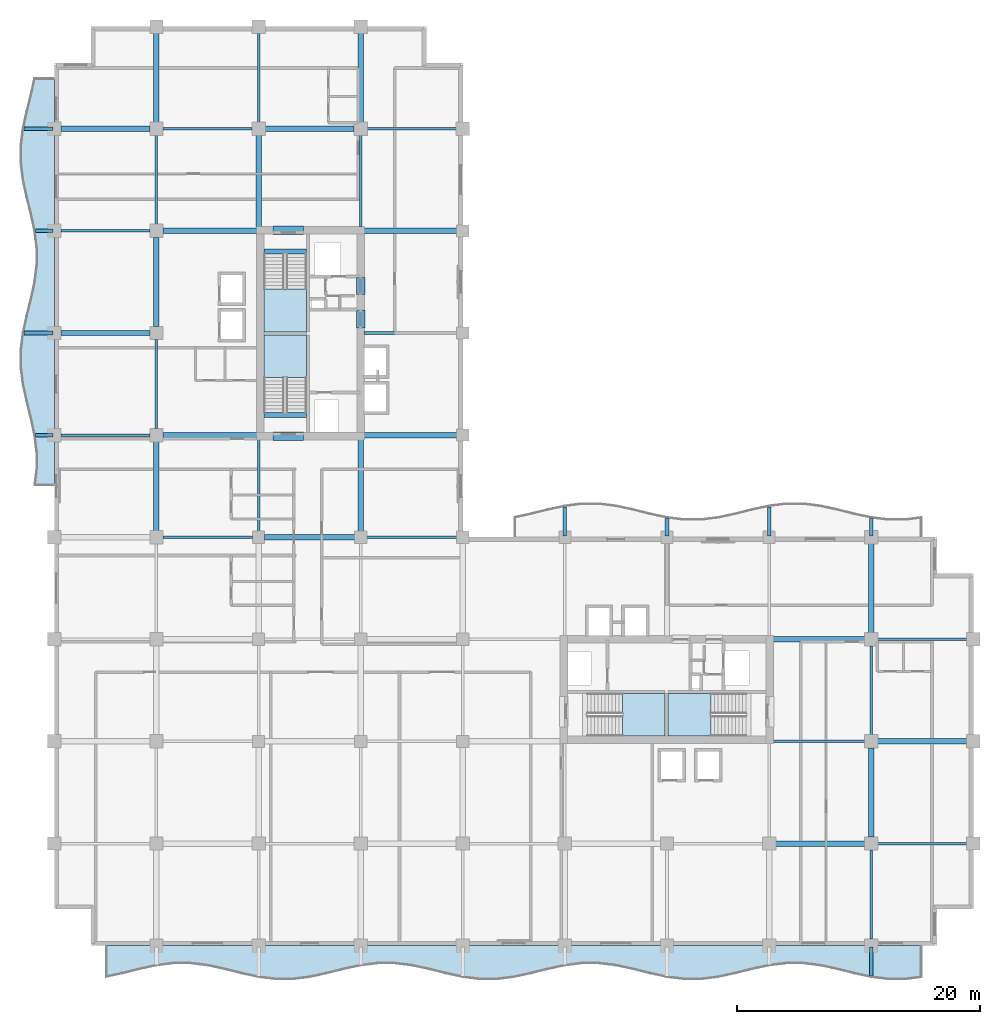
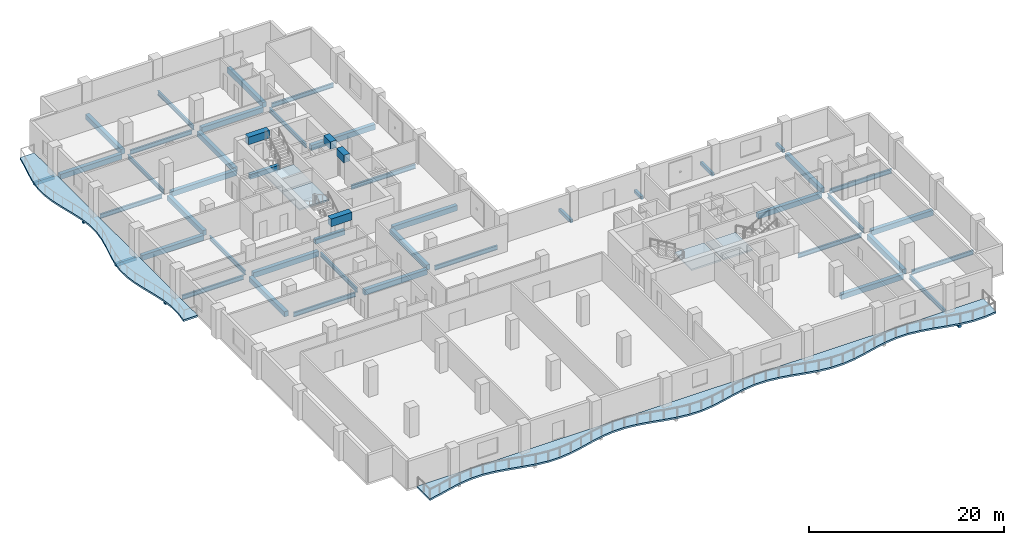
# One storey, part 2 of 15: 51 beams, 6 slabs, 4 elements without a shape of their own.
"""IFC4 building model written with IfcOpenShell, lengths in metres."""

from ifc_helpers import new_model, si_unit, direction, frame, origin, origin_2d, place, context, subcontext, project, spatial, polyline, rectangle, i_section, outline, extrude, material, layer, layer_set, material_profile, profile_set, type_object, element, aggregate, save


model = new_model("IFC4")

# Units and contexts
model_context = context("Model", 3, precision=1e-05, world=origin(), true_north=direction((0.0, 1.0)))
body_context = subcontext(model_context, "Body", "Model", "MODEL_VIEW")
ifc_project = project(units=[si_unit("LENGTHUNIT", "METRE"), si_unit("AREAUNIT", "SQUARE_METRE"), si_unit("VOLUMEUNIT", "CUBIC_METRE"), si_unit("PLANEANGLEUNIT", "RADIAN"), si_unit("MASSUNIT", "GRAM", prefix="KILO")], contexts=[model_context])

# Site, building, storey
site_placement = place(None, origin())
site = spatial("IfcSite", under=ifc_project, at=site_placement, CompositionType="ELEMENT")
building_placement = place(site_placement, origin())
building = spatial("IfcBuilding", under=site, at=building_placement, Name="Koriwani Terraces Tower", CompositionType="ELEMENT")
storey_placement = place(building_placement, frame((0.0, 0.0, 216.10009765625)))
storey = spatial("IfcBuildingStorey", under=building, at=storey_placement, Name="L53", CompositionType="ELEMENT", Elevation=216.10009765625)

# Beams
ifc_material_1 = material(Name="Concrete C40/50", Category="concrete")
ifc_material_profile_1 = material_profile(ifc_material_1, rectangle(XDim=0.300048828125, YDim=0.39990234375, at=origin_2d()), Name="Concrete C40/50", Category="LoadBearing")
ifc_profile_set_1 = profile_set([ifc_material_profile_1], Name="Concrete C40/50")
beam_type_1 = type_object("IfcBeamType", Name="BEAM_RC_BALCONY_RIB_300X400", PredefinedType="JOIST", material=ifc_profile_set_1)
beam_1_placement = place(storey_placement, frame((67.199951171875, -2.502197265625, -0.43017578125), z_axis=(0.0, 1.0, 0.0), x_axis=(-1.0, 0.0, 0.0)))
element("IfcBeam", 1, at=beam_1_placement, inside=storey, type_object=beam_type_1, Name="L53 Balcony Bracket Rib S-8", PredefinedType="JOIST", context=body_context, shape_type="SweptSolid", body=[
    extrude(rectangle(XDim=0.300048828125, YDim=0.39990234375, at=origin_2d()), origin(), (0.0, 0.0, 1.0), 2.402099609375),
])
beam_2_placement = place(storey_placement, frame((-1.547607421875, 42.0, -0.43017578125), z_axis=(1.0, 0.0, 0.0), x_axis=(0.0, 1.0, 0.0)))
element("IfcBeam", 2, at=beam_2_placement, inside=storey, type_object=beam_type_1, Name="L53 Balcony Bracket Rib W-1", PredefinedType="JOIST", context=body_context, shape_type="SweptSolid", body=[
    extrude(rectangle(XDim=0.300048828125, YDim=0.39990234375, at=origin_2d()), origin(), (0.0, 0.0, 1.0), 1.447509765625),
])
beam_3_placement = place(storey_placement, frame((-2.502197265625, 50.39990234375, -0.43017578125), z_axis=(1.0, 0.0, 0.0), x_axis=(0.0, 1.0, 0.0)))
element("IfcBeam", 3, at=beam_3_placement, inside=storey, type_object=beam_type_1, Name="L53 Balcony Bracket Rib W-2", PredefinedType="JOIST", context=body_context, shape_type="SweptSolid", body=[
    extrude(rectangle(XDim=0.300048828125, YDim=0.39990234375, at=origin_2d()), origin(), (0.0, 0.0, 1.0), 2.402099609375),
])
beam_4_placement = place(storey_placement, frame((-1.547607421875, 58.800048828125, -0.43017578125), z_axis=(1.0, 0.0, 0.0), x_axis=(0.0, 1.0, 0.0)))
element("IfcBeam", 4, at=beam_4_placement, inside=storey, type_object=beam_type_1, Name="L53 Balcony Bracket Rib W-3", PredefinedType="JOIST", context=body_context, shape_type="SweptSolid", body=[
    extrude(rectangle(XDim=0.300048828125, YDim=0.39990234375, at=origin_2d()), origin(), (0.0, 0.0, 1.0), 1.447509765625),
])
beam_5_placement = place(storey_placement, frame((-2.502197265625, 67.199951171875, -0.43017578125), z_axis=(1.0, 0.0, 0.0), x_axis=(0.0, 1.0, 0.0)))
element("IfcBeam", 5, at=beam_5_placement, inside=storey, type_object=beam_type_1, Name="L53 Balcony Bracket Rib W-4", PredefinedType="JOIST", context=body_context, shape_type="SweptSolid", body=[
    extrude(rectangle(XDim=0.300048828125, YDim=0.39990234375, at=origin_2d()), origin(), (0.0, 0.0, 1.0), 2.402099609375),
])
beam_6_placement = place(storey_placement, frame((42.0, 33.699951171875, -0.43017578125), z_axis=(0.0, 1.0, 0.0), x_axis=(-1.0, 0.0, 0.0)))
element("IfcBeam", 6, at=beam_6_placement, inside=storey, type_object=beam_type_1, Name="L53 Balcony Bracket Rib NE-1", PredefinedType="JOIST", context=body_context, shape_type="SweptSolid", body=[
    extrude(rectangle(XDim=0.300048828125, YDim=0.39990234375, at=origin_2d()), origin(), (0.0, 0.0, 1.0), 2.40234375),
])
beam_7_placement = place(storey_placement, frame((50.39990234375, 33.699951171875, -0.43017578125), z_axis=(0.0, 1.0, 0.0), x_axis=(-1.0, 0.0, 0.0)))
element("IfcBeam", 7, at=beam_7_placement, inside=storey, type_object=beam_type_1, Name="L53 Balcony Bracket Rib NE-2", PredefinedType="JOIST", context=body_context, shape_type="SweptSolid", body=[
    extrude(rectangle(XDim=0.300048828125, YDim=0.39990234375, at=origin_2d()), origin(), (0.0, 0.0, 1.0), 1.44775390625),
])
beam_8_placement = place(storey_placement, frame((58.800048828125, 33.699951171875, -0.43017578125), z_axis=(0.0, 1.0, 0.0), x_axis=(-1.0, 0.0, 0.0)))
element("IfcBeam", 8, at=beam_8_placement, inside=storey, type_object=beam_type_1, Name="L53 Balcony Bracket Rib NE-3", PredefinedType="JOIST", context=body_context, shape_type="SweptSolid", body=[
    extrude(rectangle(XDim=0.300048828125, YDim=0.39990234375, at=origin_2d()), origin(), (0.0, 0.0, 1.0), 2.40234375),
])
beam_9_placement = place(storey_placement, frame((67.199951171875, 33.699951171875, -0.43017578125), z_axis=(0.0, 1.0, 0.0), x_axis=(-1.0, 0.0, 0.0)))
element("IfcBeam", 9, at=beam_9_placement, inside=storey, type_object=beam_type_1, Name="L53 Balcony Bracket Rib NE-4", PredefinedType="JOIST", context=body_context, shape_type="SweptSolid", body=[
    extrude(rectangle(XDim=0.300048828125, YDim=0.39990234375, at=origin_2d()), origin(), (0.0, 0.0, 1.0), 1.44775390625),
])
ifc_material_2 = material(Name="Concrete C60/75", Category="concrete")
ifc_material_profile_2 = material_profile(ifc_material_2, rectangle(XDim=0.699951171875, YDim=0.949951171875, at=origin_2d()), Name="Concrete C60/75", Category="LoadBearing")
ifc_profile_set_2 = profile_set([ifc_material_profile_2], Name="Concrete C60/75")
beam_type_2 = type_object("IfcBeamType", Name="BEAM_RC_COUPLING_700X950", PredefinedType="LINTEL", material=ifc_profile_set_2)
beam_10_placement = place(storey_placement, frame((25.199951171875, 50.800048828125, 2.994873046875), z_axis=(0.0, 1.0, 0.0), x_axis=(-1.0, 0.0, 0.0)))
element("IfcBeam", 10, at=beam_10_placement, inside=storey, type_object=beam_type_2, Name="L53 Core Coupling Lintel Beam WE1", PredefinedType="LINTEL", context=body_context, shape_type="SweptSolid", body=[
    extrude(rectangle(XDim=0.699951171875, YDim=0.949951171875, at=origin_2d()), origin(), (0.0, 0.0, 1.0), 1.47998046875),
])
beam_11_placement = place(storey_placement, frame((25.199951171875, 53.550048828125, 2.994873046875), z_axis=(0.0, 1.0, 0.0), x_axis=(-1.0, 0.0, 0.0)))
element("IfcBeam", 11, at=beam_11_placement, inside=storey, type_object=beam_type_2, Name="L53 Core Coupling Lintel Beam WE2", PredefinedType="LINTEL", context=body_context, shape_type="SweptSolid", body=[
    extrude(rectangle(XDim=0.699951171875, YDim=0.949951171875, at=origin_2d()), origin(), (0.0, 0.0, 1.0), 1.39990234375),
])
for number, where, z_axis, x_axis, name in (
    (12, (18.0, 41.89990234375, 2.994873046875), (1.0, 0.0, 0.0), (0.0, 1.0, 0.0), "L53 Core Coupling Lintel Beam WS"),
    (13, (18.0, 58.85009765625, 2.994873046875), (1.0, 0.0, 0.0), (0.0, 1.0, 0.0), "L53 Core Coupling Lintel Beam WN"),
):
    element("IfcBeam", number, at=place(storey_placement, frame(where, z_axis=z_axis, x_axis=x_axis)), inside=storey, type_object=beam_type_2, Name=name, PredefinedType="LINTEL", context=body_context, shape_type="SweptSolid", body=[
        extrude(rectangle(XDim=0.699951171875, YDim=0.949951171875, at=origin_2d()), origin(), (0.0, 0.0, 1.0), 2.5),
    ])
ifc_material_profile_3 = material_profile(ifc_material_1, rectangle(XDim=0.39990234375, YDim=0.60009765625, at=origin_2d()), Name="Concrete C40/50", Category="LoadBearing")
ifc_profile_set_3 = profile_set([ifc_material_profile_3], Name="Concrete C40/50")
beam_type_3 = type_object("IfcBeamType", Name="BEAM_RC_GRID_400X600", PredefinedType="BEAM", material=ifc_profile_set_3)
for number, where, z_axis, x_axis, name in (
    (14, (17.25, 43.655029296875, -0.300048828125), (1.0, 0.0, 0.0), (0.0, 1.0, 0.0), "L53 Stairwell Header Trimmer Beam ST-W1"),
    (15, (17.25, 57.094970703125, -0.300048828125), (1.0, 0.0, 0.0), (0.0, 1.0, 0.0), "L53 Stairwell Header Trimmer Beam ST-W2"),
):
    element("IfcBeam", number, at=place(storey_placement, frame(where, z_axis=z_axis, x_axis=x_axis)), inside=storey, type_object=beam_type_3, Name=name, PredefinedType="BEAM", context=body_context, shape_type="SweptSolid", body=[
        extrude(rectangle(XDim=0.39990234375, YDim=0.60009765625, at=origin_2d()), origin(), (0.0, 0.0, 1.0), 3.5),
    ])
ifc_material_3 = material(Name="Concrete C50/60", Category="concrete")
ifc_material_profile_4 = material_profile(ifc_material_3, rectangle(XDim=0.449951171875, YDim=0.64990234375, at=origin_2d()), Name="Concrete C50/60", Category="LoadBearing")
ifc_profile_set_4 = profile_set([ifc_material_profile_4], Name="Concrete C50/60")
beam_type_4 = type_object("IfcBeamType", Name="BEAM_RC_GRID_450X650", PredefinedType="BEAM", material=ifc_profile_set_4)
beam_12_placement = place(storey_placement, frame((59.330078125, 8.39990234375, -0.55517578125), z_axis=(1.0, 0.0, 0.0), x_axis=(0.0, 1.0, 0.0)))
element("IfcBeam", 16, at=beam_12_placement, inside=storey, type_object=beam_type_4, Name="L53 Grid Beam B (58.8-67.2m)", PredefinedType="BEAM", context=body_context, shape_type="SweptSolid", body=[
    extrude(rectangle(XDim=0.449951171875, YDim=0.64990234375, at=origin_2d()), origin(), (0.0, 0.0, 1.0), 7.33984375),
])
beam_13_placement = place(storey_placement, frame((67.72998046875, 16.800048828125, -0.55517578125), z_axis=(1.0, 0.0, 0.0), x_axis=(0.0, 1.0, 0.0)))
element("IfcBeam", 17, at=beam_13_placement, inside=storey, type_object=beam_type_4, Name="L53 Grid Beam C (67.2-75.6m)", PredefinedType="BEAM", context=body_context, shape_type="SweptSolid", body=[
    extrude(rectangle(XDim=0.449951171875, YDim=0.64990234375, at=origin_2d()), origin(), (0.0, 0.0, 1.0), 7.340087890625),
])
beam_14_placement = place(storey_placement, frame((59.1298828125, 25.199951171875, -0.55517578125), z_axis=(1.0, 0.0, 0.0), x_axis=(0.0, 1.0, 0.0)))
element("IfcBeam", 18, at=beam_14_placement, inside=storey, type_object=beam_type_4, Name="L53 Grid Beam D (58.8-67.2m)", PredefinedType="BEAM", context=body_context, shape_type="SweptSolid", body=[
    extrude(rectangle(XDim=0.449951171875, YDim=0.64990234375, at=origin_2d()), origin(), (0.0, 0.0, 1.0), 7.5400390625),
])
beam_15_placement = place(storey_placement, frame((17.280029296875, 33.60009765625, -0.55517578125), z_axis=(1.0, 0.0, 0.0), x_axis=(0.0, 1.0, 0.0)))
element("IfcBeam", 19, at=beam_15_placement, inside=storey, type_object=beam_type_4, Name="L53 Grid Beam E (16.8-25.2m)", PredefinedType="BEAM", context=body_context, shape_type="SweptSolid", body=[
    extrude(rectangle(XDim=0.449951171875, YDim=0.64990234375, at=origin_2d()), origin(), (0.0, 0.0, 1.0), 7.43994140625),
])
beam_16_placement = place(storey_placement, frame((8.929931640625, 42.0, -0.55517578125), z_axis=(1.0, 0.0, 0.0), x_axis=(0.0, 1.0, 0.0)))
element("IfcBeam", 20, at=beam_16_placement, inside=storey, type_object=beam_type_4, Name="L53 Grid Beam F (8.4-16.8m)", PredefinedType="BEAM", context=body_context, shape_type="SweptSolid", body=[
    extrude(rectangle(XDim=0.449951171875, YDim=0.64990234375, at=origin_2d()), origin(), (0.0, 0.0, 1.0), 7.739990234375),
])
beam_17_placement = place(storey_placement, frame((25.47998046875, 42.0, -0.55517578125), z_axis=(1.0, 0.0, 0.0), x_axis=(0.0, 1.0, 0.0)))
element("IfcBeam", 21, at=beam_17_placement, inside=storey, type_object=beam_type_4, Name="L53 Grid Beam F (25.2-33.6m)", PredefinedType="BEAM", context=body_context, shape_type="SweptSolid", body=[
    extrude(rectangle(XDim=0.449951171875, YDim=0.64990234375, at=origin_2d()), origin(), (0.0, 0.0, 1.0), 7.64013671875),
])
beam_18_placement = place(storey_placement, frame((0.530029296875, 50.39990234375, -0.55517578125), z_axis=(1.0, 0.0, 0.0), x_axis=(0.0, 1.0, 0.0)))
element("IfcBeam", 22, at=beam_18_placement, inside=storey, type_object=beam_type_4, Name="L53 Grid Beam G (0.0-8.4m)", PredefinedType="BEAM", context=body_context, shape_type="SweptSolid", body=[
    extrude(rectangle(XDim=0.449951171875, YDim=0.64990234375, at=origin_2d()), origin(), (0.0, 0.0, 1.0), 7.340087890625),
])
beam_19_placement = place(storey_placement, frame((8.929931640625, 58.800048828125, -0.55517578125), z_axis=(1.0, 0.0, 0.0), x_axis=(0.0, 1.0, 0.0)))
element("IfcBeam", 23, at=beam_19_placement, inside=storey, type_object=beam_type_4, Name="L53 Grid Beam H (8.4-16.8m)", PredefinedType="BEAM", context=body_context, shape_type="SweptSolid", body=[
    extrude(rectangle(XDim=0.449951171875, YDim=0.64990234375, at=origin_2d()), origin(), (0.0, 0.0, 1.0), 7.739990234375),
])
beam_20_placement = place(storey_placement, frame((25.47998046875, 58.800048828125, -0.55517578125), z_axis=(1.0, 0.0, 0.0), x_axis=(0.0, 1.0, 0.0)))
element("IfcBeam", 24, at=beam_20_placement, inside=storey, type_object=beam_type_4, Name="L53 Grid Beam H (25.2-33.6m)", PredefinedType="BEAM", context=body_context, shape_type="SweptSolid", body=[
    extrude(rectangle(XDim=0.449951171875, YDim=0.64990234375, at=origin_2d()), origin(), (0.0, 0.0, 1.0), 7.64013671875),
])
beam_21_placement = place(storey_placement, frame((0.530029296875, 67.199951171875, -0.55517578125), z_axis=(1.0, 0.0, 0.0), x_axis=(0.0, 1.0, 0.0)))
element("IfcBeam", 25, at=beam_21_placement, inside=storey, type_object=beam_type_4, Name="L53 Grid Beam I (0.0-8.4m)", PredefinedType="BEAM", context=body_context, shape_type="SweptSolid", body=[
    extrude(rectangle(XDim=0.449951171875, YDim=0.64990234375, at=origin_2d()), origin(), (0.0, 0.0, 1.0), 7.340087890625),
])
beam_22_placement = place(storey_placement, frame((17.330078125, 67.199951171875, -0.55517578125), z_axis=(1.0, 0.0, 0.0), x_axis=(0.0, 1.0, 0.0)))
element("IfcBeam", 26, at=beam_22_placement, inside=storey, type_object=beam_type_4, Name="L53 Grid Beam I (16.8-25.2m)", PredefinedType="BEAM", context=body_context, shape_type="SweptSolid", body=[
    extrude(rectangle(XDim=0.449951171875, YDim=0.64990234375, at=origin_2d()), origin(), (0.0, 0.0, 1.0), 7.33984375),
])
for number, where, z_axis, x_axis, name in (
    (27, (8.39990234375, 34.1298828125, -0.55517578125), (0.0, 1.0, 0.0), (-1.0, 0.0, 0.0), "L53 Grid Beam 2 (33.6-42.0m)"),
    (28, (8.39990234375, 50.929931640625, -0.55517578125), (0.0, 1.0, 0.0), (-1.0, 0.0, 0.0), "L53 Grid Beam 2 (50.4-58.8m)"),
    (29, (8.39990234375, 67.72998046875, -0.55517578125), (0.0, 1.0, 0.0), (-1.0, 0.0, 0.0), "L53 Grid Beam 2 (67.2-75.6m)"),
):
    element("IfcBeam", number, at=place(storey_placement, frame(where, z_axis=z_axis, x_axis=x_axis)), inside=storey, type_object=beam_type_4, Name=name, PredefinedType="BEAM", context=body_context, shape_type="SweptSolid", body=[
        extrude(rectangle(XDim=0.449951171875, YDim=0.64990234375, at=origin_2d()), origin(), (0.0, 0.0, 1.0), 7.340087890625),
    ])
for number, where, z_axis, x_axis, name in (
    (30, (16.800048828125, 59.1298828125, -0.55517578125), (0.0, 1.0, 0.0), (-1.0, 0.0, 0.0), "L53 Grid Beam 3 (58.8-67.2m)"),
    (31, (25.199951171875, 34.080078125, -0.55517578125), (0.0, 1.0, 0.0), (-1.0, 0.0, 0.0), "L53 Grid Beam 4 (33.6-42.0m)"),
):
    element("IfcBeam", number, at=place(storey_placement, frame(where, z_axis=z_axis, x_axis=x_axis)), inside=storey, type_object=beam_type_4, Name=name, PredefinedType="BEAM", context=body_context, shape_type="SweptSolid", body=[
        extrude(rectangle(XDim=0.449951171875, YDim=0.64990234375, at=origin_2d()), origin(), (0.0, 0.0, 1.0), 7.5400390625),
    ])
for number, where, z_axis, x_axis, name in (
    (32, (25.199951171875, 67.72998046875, -0.55517578125), (0.0, 1.0, 0.0), (-1.0, 0.0, 0.0), "L53 Grid Beam 4 (67.2-75.6m)"),
    (33, (67.199951171875, 8.929931640625, -0.55517578125), (0.0, 1.0, 0.0), (-1.0, 0.0, 0.0), "L53 Grid Beam 9 (8.4-16.8m)"),
    (34, (67.199951171875, 25.72998046875, -0.55517578125), (0.0, 1.0, 0.0), (-1.0, 0.0, 0.0), "L53 Grid Beam 9 (25.2-33.6m)"),
):
    element("IfcBeam", number, at=place(storey_placement, frame(where, z_axis=z_axis, x_axis=x_axis)), inside=storey, type_object=beam_type_4, Name=name, PredefinedType="BEAM", context=body_context, shape_type="SweptSolid", body=[
        extrude(rectangle(XDim=0.449951171875, YDim=0.64990234375, at=origin_2d()), origin(), (0.0, 0.0, 1.0), 7.340087890625),
    ])
ifc_material_4 = material(Name="Steel ASTM A572 Grade 50", Category="steel")
ifc_material_profile_5 = material_profile(ifc_material_4, i_section(OverallWidth=0.2109375, OverallDepth=0.5390625, WebThickness=0.01171875, FlangeThickness=0.018798828125, at=origin_2d()), Name="Steel ASTM A572 Grade 50", Category="LoadBearing")
ifc_profile_set_5 = profile_set([ifc_material_profile_5], Name="Steel ASTM A572 Grade 50")
beam_type_5 = type_object("IfcBeamType", Name="STEEL_BEAM_W530X109", PredefinedType="BEAM", material=ifc_profile_set_5)
beam_23_placement = place(storey_placement, frame((67.72998046875, 8.39990234375, -0.49951171875), z_axis=(1.0, 0.0, 0.0), x_axis=(0.0, 1.0, 0.0)))
element("IfcBeam", 35, at=beam_23_placement, inside=storey, type_object=beam_type_5, Name="L53 Grid Beam B (67.2-75.6m)", PredefinedType="BEAM", context=body_context, shape_type="SweptSolid", body=[
    extrude(i_section(OverallWidth=0.2109375, OverallDepth=0.5390625, WebThickness=0.01171875, FlangeThickness=0.018798828125, at=origin_2d()), origin(), (0.0, 0.0, 1.0), 7.340087890625),
])
beam_24_placement = place(storey_placement, frame((59.1298828125, 16.800048828125, -0.49951171875), z_axis=(1.0, 0.0, 0.0), x_axis=(0.0, 1.0, 0.0)))
element("IfcBeam", 36, at=beam_24_placement, inside=storey, type_object=beam_type_5, Name="L53 Grid Beam C (58.8-67.2m)", PredefinedType="BEAM", context=body_context, shape_type="SweptSolid", body=[
    extrude(i_section(OverallWidth=0.2109375, OverallDepth=0.5390625, WebThickness=0.01171875, FlangeThickness=0.018798828125, at=origin_2d()), origin(), (0.0, 0.0, 1.0), 7.5400390625),
])
beam_25_placement = place(storey_placement, frame((67.72998046875, 25.199951171875, -0.49951171875), z_axis=(1.0, 0.0, 0.0), x_axis=(0.0, 1.0, 0.0)))
element("IfcBeam", 37, at=beam_25_placement, inside=storey, type_object=beam_type_5, Name="L53 Grid Beam D (67.2-75.6m)", PredefinedType="BEAM", context=body_context, shape_type="SweptSolid", body=[
    extrude(i_section(OverallWidth=0.2109375, OverallDepth=0.5390625, WebThickness=0.01171875, FlangeThickness=0.018798828125, at=origin_2d()), origin(), (0.0, 0.0, 1.0), 7.340087890625),
])
beam_26_placement = place(storey_placement, frame((8.929931640625, 33.60009765625, -0.49951171875), z_axis=(1.0, 0.0, 0.0), x_axis=(0.0, 1.0, 0.0)))
element("IfcBeam", 38, at=beam_26_placement, inside=storey, type_object=beam_type_5, Name="L53 Grid Beam E (8.4-16.8m)", PredefinedType="BEAM", context=body_context, shape_type="SweptSolid", body=[
    extrude(i_section(OverallWidth=0.2109375, OverallDepth=0.5390625, WebThickness=0.01171875, FlangeThickness=0.018798828125, at=origin_2d()), origin(), (0.0, 0.0, 1.0), 7.39013671875),
])
beam_27_placement = place(storey_placement, frame((25.679931640625, 33.60009765625, -0.49951171875), z_axis=(1.0, 0.0, 0.0), x_axis=(0.0, 1.0, 0.0)))
element("IfcBeam", 39, at=beam_27_placement, inside=storey, type_object=beam_type_5, Name="L53 Grid Beam E (25.2-33.6m)", PredefinedType="BEAM", context=body_context, shape_type="SweptSolid", body=[
    extrude(i_section(OverallWidth=0.2109375, OverallDepth=0.5390625, WebThickness=0.01171875, FlangeThickness=0.018798828125, at=origin_2d()), origin(), (0.0, 0.0, 1.0), 7.440185546875),
])
beam_28_placement = place(storey_placement, frame((0.530029296875, 42.0, -0.49951171875), z_axis=(1.0, 0.0, 0.0), x_axis=(0.0, 1.0, 0.0)))
element("IfcBeam", 40, at=beam_28_placement, inside=storey, type_object=beam_type_5, Name="L53 Grid Beam F (0.0-8.4m)", PredefinedType="BEAM", context=body_context, shape_type="SweptSolid", body=[
    extrude(i_section(OverallWidth=0.2109375, OverallDepth=0.5390625, WebThickness=0.01171875, FlangeThickness=0.018798828125, at=origin_2d()), origin(), (0.0, 0.0, 1.0), 7.340087890625),
])
beam_29_placement = place(storey_placement, frame((25.47998046875, 50.39990234375, -0.49951171875), z_axis=(1.0, 0.0, 0.0), x_axis=(0.0, 1.0, 0.0)))
element("IfcBeam", 41, at=beam_29_placement, inside=storey, type_object=beam_type_5, Name="L53 Grid Beam G (25.2-33.6m)", PredefinedType="BEAM", context=body_context, shape_type="SweptSolid", body=[
    extrude(i_section(OverallWidth=0.2109375, OverallDepth=0.5390625, WebThickness=0.01171875, FlangeThickness=0.018798828125, at=origin_2d()), origin(), (0.0, 0.0, 1.0), 7.64013671875),
])
for number, where, z_axis, x_axis, name in (
    (42, (0.530029296875, 58.800048828125, -0.49951171875), (1.0, 0.0, 0.0), (0.0, 1.0, 0.0), "L53 Grid Beam H (0.0-8.4m)"),
    (43, (8.929931640625, 67.199951171875, -0.49951171875), (1.0, 0.0, 0.0), (0.0, 1.0, 0.0), "L53 Grid Beam I (8.4-16.8m)"),
    (44, (25.72998046875, 67.199951171875, -0.49951171875), (1.0, 0.0, 0.0), (0.0, 1.0, 0.0), "L53 Grid Beam I (25.2-33.6m)"),
    (45, (8.39990234375, 42.530029296875, -0.49951171875), (0.0, 1.0, 0.0), (-1.0, 0.0, 0.0), "L53 Grid Beam 2 (42.0-50.4m)"),
):
    element("IfcBeam", number, at=place(storey_placement, frame(where, z_axis=z_axis, x_axis=x_axis)), inside=storey, type_object=beam_type_5, Name=name, PredefinedType="BEAM", context=body_context, shape_type="SweptSolid", body=[
        extrude(i_section(OverallWidth=0.2109375, OverallDepth=0.5390625, WebThickness=0.01171875, FlangeThickness=0.018798828125, at=origin_2d()), origin(), (0.0, 0.0, 1.0), 7.340087890625),
    ])
beam_30_placement = place(storey_placement, frame((8.39990234375, 59.330078125, -0.49951171875), z_axis=(0.0, 1.0, 0.0), x_axis=(-1.0, 0.0, 0.0)))
element("IfcBeam", 46, at=beam_30_placement, inside=storey, type_object=beam_type_5, Name="L53 Grid Beam 2 (58.8-67.2m)", PredefinedType="BEAM", context=body_context, shape_type="SweptSolid", body=[
    extrude(i_section(OverallWidth=0.2109375, OverallDepth=0.5390625, WebThickness=0.01171875, FlangeThickness=0.018798828125, at=origin_2d()), origin(), (0.0, 0.0, 1.0), 7.33984375),
])
beam_31_placement = place(storey_placement, frame((16.800048828125, 34.080078125, -0.49951171875), z_axis=(0.0, 1.0, 0.0), x_axis=(-1.0, 0.0, 0.0)))
element("IfcBeam", 47, at=beam_31_placement, inside=storey, type_object=beam_type_5, Name="L53 Grid Beam 3 (33.6-42.0m)", PredefinedType="BEAM", context=body_context, shape_type="SweptSolid", body=[
    extrude(i_section(OverallWidth=0.2109375, OverallDepth=0.5390625, WebThickness=0.01171875, FlangeThickness=0.018798828125, at=origin_2d()), origin(), (0.0, 0.0, 1.0), 7.5400390625),
])
beam_32_placement = place(storey_placement, frame((16.800048828125, 67.72998046875, -0.49951171875), z_axis=(0.0, 1.0, 0.0), x_axis=(-1.0, 0.0, 0.0)))
element("IfcBeam", 48, at=beam_32_placement, inside=storey, type_object=beam_type_5, Name="L53 Grid Beam 3 (67.2-75.6m)", PredefinedType="BEAM", context=body_context, shape_type="SweptSolid", body=[
    extrude(i_section(OverallWidth=0.2109375, OverallDepth=0.5390625, WebThickness=0.01171875, FlangeThickness=0.018798828125, at=origin_2d()), origin(), (0.0, 0.0, 1.0), 7.340087890625),
])
beam_33_placement = place(storey_placement, frame((25.199951171875, 59.1298828125, -0.49951171875), z_axis=(0.0, 1.0, 0.0), x_axis=(-1.0, 0.0, 0.0)))
element("IfcBeam", 49, at=beam_33_placement, inside=storey, type_object=beam_type_5, Name="L53 Grid Beam 4 (58.8-67.2m)", PredefinedType="BEAM", context=body_context, shape_type="SweptSolid", body=[
    extrude(i_section(OverallWidth=0.2109375, OverallDepth=0.5390625, WebThickness=0.01171875, FlangeThickness=0.018798828125, at=origin_2d()), origin(), (0.0, 0.0, 1.0), 7.5400390625),
])
beam_34_placement = place(storey_placement, frame((67.199951171875, 0.530029296875, -0.49951171875), z_axis=(0.0, 1.0, 0.0), x_axis=(-1.0, 0.0, 0.0)))
element("IfcBeam", 50, at=beam_34_placement, inside=storey, type_object=beam_type_5, Name="L53 Grid Beam 9 (0.0-8.4m)", PredefinedType="BEAM", context=body_context, shape_type="SweptSolid", body=[
    extrude(i_section(OverallWidth=0.2109375, OverallDepth=0.5390625, WebThickness=0.01171875, FlangeThickness=0.018798828125, at=origin_2d()), origin(), (0.0, 0.0, 1.0), 7.340087890625),
])
beam_35_placement = place(storey_placement, frame((67.199951171875, 17.330078125, -0.49951171875), z_axis=(0.0, 1.0, 0.0), x_axis=(-1.0, 0.0, 0.0)))
element("IfcBeam", 51, at=beam_35_placement, inside=storey, type_object=beam_type_5, Name="L53 Grid Beam 9 (16.8-25.2m)", PredefinedType="BEAM", context=body_context, shape_type="SweptSolid", body=[
    extrude(i_section(OverallWidth=0.2109375, OverallDepth=0.5390625, WebThickness=0.01171875, FlangeThickness=0.018798828125, at=origin_2d()), origin(), (0.0, 0.0, 1.0), 7.33984375),
])

# Slabs
ifc_layer_1 = layer(ifc_material_1, 0.219970703125, Name="Concrete C40/50")
ifc_layer_set_1 = layer_set([ifc_layer_1], Name="Concrete C40/50")
slab_type_1 = type_object("IfcSlabType", Name="SLAB_BALCONY_220", PredefinedType="FLOOR", material=ifc_layer_set_1)
slab_1_placement = place(storey_placement, frame((0.0, 0.0, -0.22021484375)))
element("IfcSlab", 52, at=slab_1_placement, inside=storey, type_object=slab_type_1, Name="L53 Quilted Circular-Arc Balcony (S)", PredefinedType="FLOOR", context=body_context, shape_type="SweptSolid", body=[
    extrude(outline(polyline([(4.199951171875, 0.0), (5.60009765625, 0.0), (7.0, 0.0), (8.39990234375, 0.0), (9.800048828125, 0.0), (11.199951171875, 0.0), (12.60009765625, 0.0), (14.0, 0.0), (15.39990234375, 0.0), (16.800048828125, 0.0), (18.199951171875, 0.0), (19.60009765625, 0.0), (21.0, 0.0), (22.39990234375, 0.0), (23.800048828125, 0.0), (25.199951171875, 0.0), (26.60009765625, 0.0), (28.0, 0.0), (29.39990234375, 0.0), (30.800048828125, 0.0), (32.199951171875, 0.0), (33.60009765625, 0.0), (35.0, 0.0), (36.39990234375, 0.0), (37.800048828125, 0.0), (39.199951171875, 0.0), (40.60009765625, 0.0), (42.0, 0.0), (43.39990234375, 0.0), (44.800048828125, 0.0), (46.199951171875, 0.0), (47.60009765625, 0.0), (49.0, 0.0), (50.39990234375, 0.0), (51.800048828125, 0.0), (53.199951171875, 0.0), (54.60009765625, 0.0), (56.0, 0.0), (57.39990234375, 0.0), (58.800048828125, 0.0), (60.199951171875, 0.0), (61.60009765625, 0.0), (63.0, 0.0), (64.39990234375, 0.0), (65.800048828125, 0.0), (67.199951171875, 0.0), (68.60009765625, 0.0), (70.0, 0.0), (71.39990234375, 0.0), (71.39990234375, -2.65234375), (70.0, -2.826904296875), (68.60009765625, -2.826904296875), (67.199951171875, -2.65234375), (65.800048828125, -2.349609375), (64.39990234375, -2.000244140625), (63.0, -1.69775390625), (61.60009765625, -1.52294921875), (60.199951171875, -1.52294921875), (58.800048828125, -1.69775390625), (57.39990234375, -2.000244140625), (56.0, -2.349609375), (54.60009765625, -2.65234375), (53.199951171875, -2.826904296875), (51.800048828125, -2.826904296875), (50.39990234375, -2.65234375), (49.0, -2.349609375), (47.60009765625, -2.000244140625), (46.199951171875, -1.69775390625), (44.800048828125, -1.52294921875), (43.39990234375, -1.52294921875), (42.0, -1.69775390625), (40.60009765625, -2.000244140625), (39.199951171875, -2.349609375), (37.800048828125, -2.65234375), (36.39990234375, -2.826904296875), (35.0, -2.826904296875), (33.60009765625, -2.65234375), (32.199951171875, -2.349609375), (30.800048828125, -2.000244140625), (29.39990234375, -1.69775390625), (28.0, -1.52294921875), (26.60009765625, -1.52294921875), (25.199951171875, -1.69775390625), (23.800048828125, -2.000244140625), (22.39990234375, -2.349609375), (21.0, -2.65234375), (19.60009765625, -2.826904296875), (18.199951171875, -2.826904296875), (16.800048828125, -2.65234375), (15.39990234375, -2.349609375), (14.0, -2.000244140625), (12.60009765625, -1.69775390625), (11.199951171875, -1.52294921875), (9.800048828125, -1.52294921875), (8.39990234375, -1.69775390625), (7.0, -2.000244140625), (5.60009765625, -2.349609375), (4.199951171875, -2.65234375), (4.199951171875, 0.0)])), origin(), (0.0, 0.0, 1.0), 0.22021484375),
])
slab_2_placement = place(storey_placement, frame((0.0, 0.0, -0.22021484375)))
element("IfcSlab", 53, at=slab_2_placement, inside=storey, type_object=slab_type_1, Name="L53 Quilted Circular-Arc Balcony (W)", PredefinedType="FLOOR", context=body_context, shape_type="SweptSolid", body=[
    extrude(outline(polyline([(0.0, 37.800048828125), (0.0, 39.199951171875), (0.0, 40.60009765625), (0.0, 42.0), (0.0, 43.39990234375), (0.0, 44.800048828125), (0.0, 46.199951171875), (0.0, 47.60009765625), (0.0, 49.0), (0.0, 50.39990234375), (0.0, 51.800048828125), (0.0, 53.199951171875), (0.0, 54.60009765625), (0.0, 56.0), (0.0, 57.39990234375), (0.0, 58.800048828125), (0.0, 60.199951171875), (0.0, 61.60009765625), (0.0, 63.0), (0.0, 64.39990234375), (0.0, 65.800048828125), (0.0, 67.199951171875), (0.0, 68.60009765625), (0.0, 70.0), (0.0, 71.39990234375), (-1.69775390625, 71.39990234375), (-2.000244140625, 70.0), (-2.349609375, 68.60009765625), (-2.65234375, 67.199951171875), (-2.826904296875, 65.800048828125), (-2.826904296875, 64.39990234375), (-2.65234375, 63.0), (-2.349609375, 61.60009765625), (-2.000244140625, 60.199951171875), (-1.69775390625, 58.800048828125), (-1.52294921875, 57.39990234375), (-1.52294921875, 56.0), (-1.69775390625, 54.60009765625), (-2.000244140625, 53.199951171875), (-2.349609375, 51.800048828125), (-2.65234375, 50.39990234375), (-2.826904296875, 49.0), (-2.826904296875, 47.60009765625), (-2.65234375, 46.199951171875), (-2.349609375, 44.800048828125), (-2.000244140625, 43.39990234375), (-1.69775390625, 42.0), (-1.52294921875, 40.60009765625), (-1.52294921875, 39.199951171875), (-1.69775390625, 37.800048828125), (0.0, 37.800048828125)])), origin(), (0.0, 0.0, 1.0), 0.22021484375),
])

# Stair, slab
stair_type = type_object("IfcStairType", Name="STAIR_CORE_DOGLEG_1650", PredefinedType="TWO_STRAIGHT_RUN_STAIR", material=ifc_material_1)
stair_1_placement = place(storey_placement, origin())
stair_1 = element("IfcStair", 54, at=stair_1_placement, inside=storey, type_object=stair_type, Name="L53 West Core Exit Stair 1", PredefinedType="HALF_TURN_STAIR")
ifc_layer_2 = layer(ifc_material_1, 0.199951171875, Name="Concrete C40/50")
ifc_layer_set_2 = layer_set([ifc_layer_2], Name="Concrete C40/50")
slab_type_2 = type_object("IfcSlabType", Name="SLAB_STAIR_LANDING_200", PredefinedType="LANDING", material=ifc_layer_set_2)
slab_3_placement = place(storey_placement, frame((0.0, 0.0, 1.64990234375)))
slab_3 = element("IfcSlab", 55, at=slab_3_placement, type_object=slab_type_2, Name="ST-W1 landing 1", PredefinedType="LANDING", context=body_context, shape_type="SweptSolid", body=[
    extrude(outline(polyline([(20.75, 46.75), (20.75, 50.25), (17.25, 50.25), (17.25, 46.75), (20.75, 46.75)])), origin(), (0.0, 0.0, 1.0), 0.199951171875),
])
aggregate(stair_1, [slab_3])

stair_2_placement = place(storey_placement, origin())
stair_2 = element("IfcStair", 56, at=stair_2_placement, inside=storey, type_object=stair_type, Name="L53 West Core Exit Stair 2", PredefinedType="HALF_TURN_STAIR")
slab_4_placement = place(storey_placement, frame((0.0, 0.0, 1.64990234375)))
slab_4 = element("IfcSlab", 57, at=slab_4_placement, type_object=slab_type_2, Name="ST-W2 landing 1", PredefinedType="LANDING", context=body_context, shape_type="SweptSolid", body=[
    extrude(outline(polyline([(17.25, 54.0), (17.25, 50.5), (20.75, 50.5), (20.75, 54.0), (17.25, 54.0)])), origin(), (0.0, 0.0, 1.0), 0.199951171875),
])
aggregate(stair_2, [slab_4])

stair_3_placement = place(storey_placement, origin())
stair_3 = element("IfcStair", 58, at=stair_3_placement, inside=storey, type_object=stair_type, Name="L53 East Core Exit Stair 1", PredefinedType="HALF_TURN_STAIR")
slab_5_placement = place(storey_placement, frame((0.0, 0.0, 1.64990234375)))
slab_5 = element("IfcSlab", 59, at=slab_5_placement, type_object=slab_type_2, Name="ST-E1 landing 1", PredefinedType="LANDING", context=body_context, shape_type="SweptSolid", body=[
    extrude(outline(polyline([(46.75, 17.25), (50.25, 17.25), (50.25, 20.75), (46.75, 20.75), (46.75, 17.25)])), origin(), (0.0, 0.0, 1.0), 0.199951171875),
])
aggregate(stair_3, [slab_5])

stair_4_placement = place(storey_placement, origin())
stair_4 = element("IfcStair", 60, at=stair_4_placement, inside=storey, type_object=stair_type, Name="L53 East Core Exit Stair 2", PredefinedType="HALF_TURN_STAIR")
slab_6_placement = place(storey_placement, frame((0.0, 0.0, 1.64990234375)))
slab_6 = element("IfcSlab", 61, at=slab_6_placement, type_object=slab_type_2, Name="ST-E2 landing 1", PredefinedType="LANDING", context=body_context, shape_type="SweptSolid", body=[
    extrude(outline(polyline([(54.0, 20.75), (50.5, 20.75), (50.5, 17.25), (54.0, 17.25), (54.0, 20.75)])), origin(), (0.0, 0.0, 1.0), 0.199951171875),
])
aggregate(stair_4, [slab_6])

save(model, "model.ifc")
